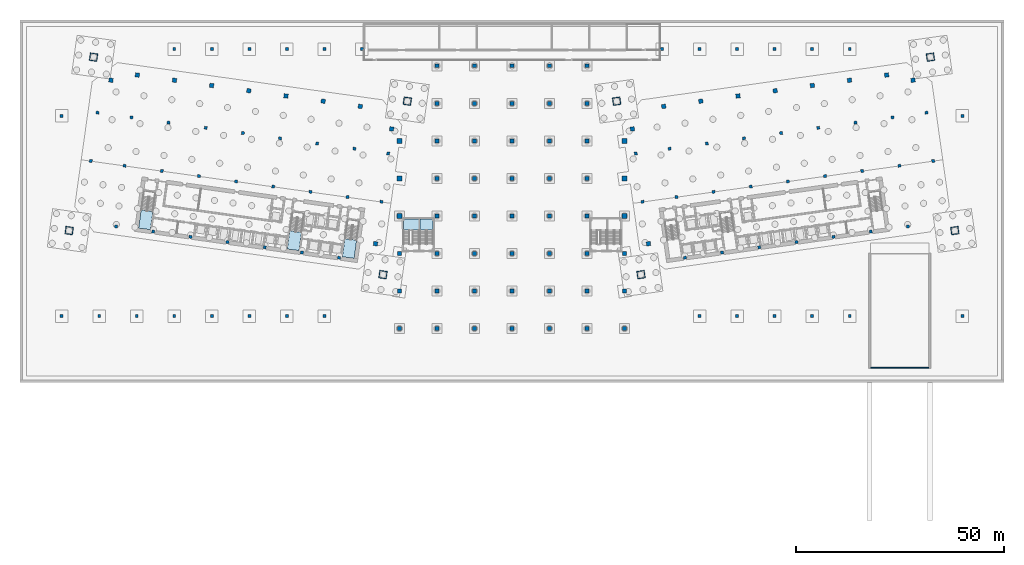
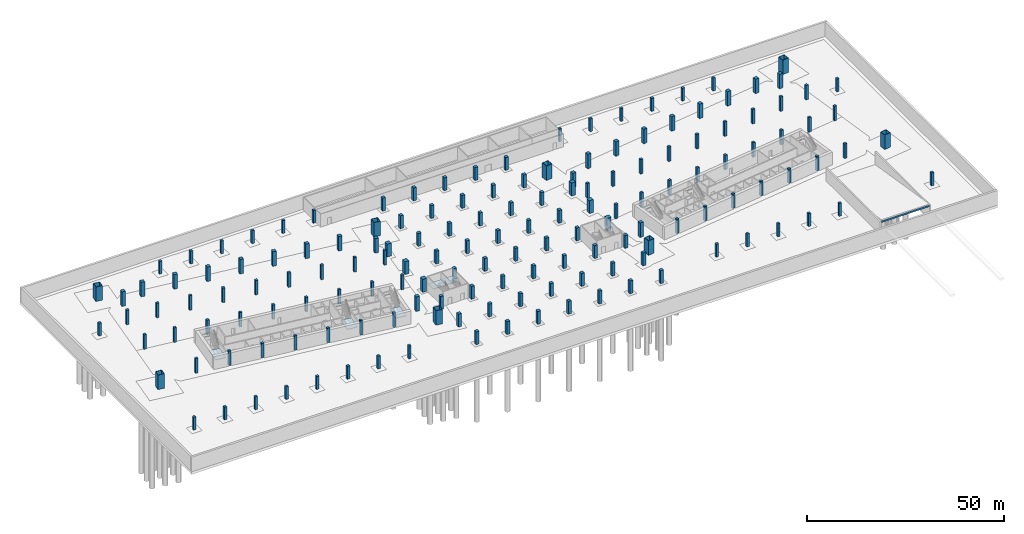
# One storey, part 3 of 19: 158 columns, 5 slabs, 1 beam, 5 elements without a shape of their own.
"""IFC4 building model written with IfcOpenShell, lengths in metres."""

from ifc_helpers import new_model, si_unit, direction, frame, origin, origin_2d, place, context, subcontext, project, spatial, polyline, rectangle, hollow_rectangle, outline, extrude, material, layer, layer_set, material_profile, profile_set, type_object, element, aggregate, save


model = new_model("IFC4")

# Units and contexts
model_context = context("Model", 3, precision=1e-05, world=origin(), true_north=direction((0.0, 1.0)))
body_context = subcontext(model_context, "Body", "Model", "MODEL_VIEW")
ifc_project = project(units=[si_unit("LENGTHUNIT", "METRE"), si_unit("AREAUNIT", "SQUARE_METRE"), si_unit("VOLUMEUNIT", "CUBIC_METRE"), si_unit("PLANEANGLEUNIT", "RADIAN"), si_unit("MASSUNIT", "GRAM", prefix="KILO")], contexts=[model_context])

# Site, building, storey
site_placement = place(None, origin())
site = spatial("IfcSite", under=ifc_project, at=site_placement, CompositionType="ELEMENT")
building_placement = place(site_placement, origin())
building = spatial("IfcBuilding", under=site, at=building_placement, Name="Mirante Cascada Hotel Towers", CompositionType="ELEMENT")
storey_placement = place(building_placement, frame((0.0, 0.0, -9.0)))
storey = spatial("IfcBuildingStorey", under=building, at=storey_placement, Name="B2", CompositionType="ELEMENT", Elevation=-9.0)

# Columns
ifc_material_1 = material(Name="Steel ASTM A572 Gr 50", Category="steel")
ifc_material_profile_1 = material_profile(ifc_material_1, hollow_rectangle(XDim=1.8, YDim=1.8, WallThickness=0.08, at=origin_2d()), Name="Box column 1800x1800x80 ASTM A572 Gr 50")
ifc_profile_set_1 = profile_set([ifc_material_profile_1], Name="Steel ASTM A572 Gr 50")
column_type_1 = type_object("IfcColumnType", Name="Box column 1800x1800x80 ASTM A572 Gr 50", PredefinedType="COLUMN", material=ifc_profile_set_1)
for number, where, z_axis, x_axis, name in (
    (1, (-25.0968, 18.5173, 0.0), (0.0, 0.0, 1.0), (-0.9902681, 0.1391731, 0.0), "Mega column MC1 T1 B2"),
    (2, (-30.9421, -23.074, 0.0), (0.0, 0.0, 1.0), (-0.9902681, 0.1391731, 0.0), "Mega column MC2 T1 B2"),
    (3, (-100.3572, 29.0944, 0.0), (0.0, 0.0, 1.0), (-0.9902681, 0.1391731, 0.0), "Mega column MC3 T1 B2"),
    (4, (-106.2025, -12.4968, 0.0), (0.0, 0.0, 1.0), (-0.9902681, 0.1391731, 0.0), "Mega column MC4 T1 B2"),
    (5, (25.0968, 18.5173, 0.0), (0.0, 0.0, 1.0), (0.9902681, 0.1391731, 0.0), "Mega column MC1 T2 B2"),
    (6, (30.9421, -23.074, 0.0), (0.0, 0.0, 1.0), (0.9902681, 0.1391731, 0.0), "Mega column MC2 T2 B2"),
    (7, (100.3572, 29.0944, 0.0), (0.0, 0.0, 1.0), (0.9902681, 0.1391731, 0.0), "Mega column MC3 T2 B2"),
    (8, (106.2025, -12.4968, 0.0), (0.0, 0.0, 1.0), (0.9902681, 0.1391731, 0.0), "Mega column MC4 T2 B2"),
):
    element("IfcColumn", number, at=place(storey_placement, frame(where, z_axis=z_axis, x_axis=x_axis)), inside=storey, type_object=column_type_1, Name=name, PredefinedType="COLUMN", context=body_context, shape_type="SweptSolid", body=[
        extrude(hollow_rectangle(XDim=1.8, YDim=1.8, WallThickness=0.08, at=origin_2d()), origin(), (0.0, 0.0, 1.0), 4.5),
    ])
ifc_material_2 = material(Name="Concrete C50/60", Category="concrete")
ifc_material_profile_2 = material_profile(ifc_material_2, rectangle(XDim=1.2, YDim=1.2, at=origin_2d()), Name="RC 1200x1200")
ifc_profile_set_2 = profile_set([ifc_material_profile_2], Name="Concrete C50/60")
column_type_2 = type_object("IfcColumnType", Name="Column RC 1200x1200 C50/60", PredefinedType="COLUMN", material=ifc_profile_set_2)
for number, where, z_axis, x_axis, name in (
    (9, (-27.0, -9.0, 0.0), (0.0, 0.0, 1.0), (1.0, 0.0, 0.0), "col:P:B2:169"),
    (10, (27.0, -9.0, 0.0), (0.0, 0.0, 1.0), (1.0, 0.0, 0.0), "col:P:B2:212"),
    (11, (-27.0, 0.0, 0.0), (0.0, 0.0, 1.0), (1.0, 0.0, 0.0), "col:P:B2:220"),
    (12, (27.0, 0.0, 0.0), (0.0, 0.0, 1.0), (1.0, 0.0, 0.0), "col:P:B2:263"),
    (13, (-27.0, 9.0, 0.0), (0.0, 0.0, 1.0), (1.0, 0.0, 0.0), "col:P:B2:271"),
    (14, (27.0, 9.0, 0.0), (0.0, 0.0, 1.0), (1.0, 0.0, 0.0), "col:P:B2:302"),
):
    element("IfcColumn", number, at=place(storey_placement, frame(where, z_axis=z_axis, x_axis=x_axis)), inside=storey, type_object=column_type_2, Name=name, PredefinedType="COLUMN", context=body_context, shape_type="SweptSolid", body=[
        extrude(rectangle(XDim=1.2, YDim=1.2, at=origin_2d()), origin(), (0.0, 0.0, 1.0), 4.0),
    ])
ifc_material_3 = material(Name="Concrete C50/60", Category="concrete")
ifc_material_profile_3 = material_profile(ifc_material_3, rectangle(XDim=0.7, YDim=0.7, at=origin_2d()), Name="RC 700x700")
ifc_profile_set_3 = profile_set([ifc_material_profile_3], Name="Concrete C50/60")
column_type_3 = type_object("IfcColumnType", Name="Column RC 700x700 C50/60", PredefinedType="COLUMN", material=ifc_profile_set_3)
for number, where, z_axis, x_axis, name in (
    (15, (-108.0, -33.0, 0.0), (0.0, 0.0, 1.0), (1.0, 0.0, 0.0), "col:B:B2:348"),
    (16, (-99.0, -33.0, 0.0), (0.0, 0.0, 1.0), (1.0, 0.0, 0.0), "col:B:B2:350"),
    (17, (-90.0, -33.0, 0.0), (0.0, 0.0, 1.0), (1.0, 0.0, 0.0), "col:B:B2:352"),
    (18, (-81.0, -33.0, 0.0), (0.0, 0.0, 1.0), (1.0, 0.0, 0.0), "col:B:B2:354"),
    (19, (-72.0, -33.0, 0.0), (0.0, 0.0, 1.0), (1.0, 0.0, 0.0), "col:B:B2:356"),
    (20, (-63.0, -33.0, 0.0), (0.0, 0.0, 1.0), (1.0, 0.0, 0.0), "col:B:B2:358"),
    (21, (-54.0, -33.0, 0.0), (0.0, 0.0, 1.0), (1.0, 0.0, 0.0), "col:B:B2:360"),
    (22, (-45.0, -33.0, 0.0), (0.0, 0.0, 1.0), (1.0, 0.0, 0.0), "col:B:B2:362"),
    (23, (45.0, -33.0, 0.0), (0.0, 0.0, 1.0), (1.0, 0.0, 0.0), "col:B:B2:364"),
    (24, (54.0, -33.0, 0.0), (0.0, 0.0, 1.0), (1.0, 0.0, 0.0), "col:B:B2:366"),
    (25, (63.0, -33.0, 0.0), (0.0, 0.0, 1.0), (1.0, 0.0, 0.0), "col:B:B2:368"),
    (26, (72.0, -33.0, 0.0), (0.0, 0.0, 1.0), (1.0, 0.0, 0.0), "col:B:B2:370"),
    (27, (81.0, -33.0, 0.0), (0.0, 0.0, 1.0), (1.0, 0.0, 0.0), "col:B:B2:372"),
    (28, (108.0, -33.0, 0.0), (0.0, 0.0, 1.0), (1.0, 0.0, 0.0), "col:B:B2:374"),
    (29, (-108.0, 15.0, 0.0), (0.0, 0.0, 1.0), (1.0, 0.0, 0.0), "col:B:B2:376"),
    (30, (108.0, 15.0, 0.0), (0.0, 0.0, 1.0), (1.0, 0.0, 0.0), "col:B:B2:378"),
    (31, (-81.0, 31.0, 0.0), (0.0, 0.0, 1.0), (1.0, 0.0, 0.0), "col:B:B2:380"),
    (32, (-72.0, 31.0, 0.0), (0.0, 0.0, 1.0), (1.0, 0.0, 0.0), "col:B:B2:382"),
    (33, (-63.0, 31.0, 0.0), (0.0, 0.0, 1.0), (1.0, 0.0, 0.0), "col:B:B2:384"),
    (34, (-54.0, 31.0, 0.0), (0.0, 0.0, 1.0), (1.0, 0.0, 0.0), "col:B:B2:386"),
    (35, (-45.0, 31.0, 0.0), (0.0, 0.0, 1.0), (1.0, 0.0, 0.0), "col:B:B2:388"),
    (36, (-36.0, 31.0, 0.0), (0.0, 0.0, 1.0), (1.0, 0.0, 0.0), "col:B:B2:390"),
    (37, (36.0, 31.0, 0.0), (0.0, 0.0, 1.0), (1.0, 0.0, 0.0), "col:B:B2:392"),
    (38, (45.0, 31.0, 0.0), (0.0, 0.0, 1.0), (1.0, 0.0, 0.0), "col:B:B2:394"),
    (39, (54.0, 31.0, 0.0), (0.0, 0.0, 1.0), (1.0, 0.0, 0.0), "col:B:B2:396"),
    (40, (63.0, 31.0, 0.0), (0.0, 0.0, 1.0), (1.0, 0.0, 0.0), "col:B:B2:398"),
    (41, (72.0, 31.0, 0.0), (0.0, 0.0, 1.0), (1.0, 0.0, 0.0), "col:B:B2:400"),
    (42, (81.0, 31.0, 0.0), (0.0, 0.0, 1.0), (1.0, 0.0, 0.0), "col:B:B2:402"),
):
    element("IfcColumn", number, at=place(storey_placement, frame(where, z_axis=z_axis, x_axis=x_axis)), inside=storey, type_object=column_type_3, Name=name, PredefinedType="COLUMN", context=body_context, shape_type="SweptSolid", body=[
        extrude(rectangle(XDim=0.7, YDim=0.7, at=origin_2d()), origin(), (0.0, 0.0, 1.0), 4.0),
    ])
ifc_material_4 = material(Name="Concrete C50/60", Category="concrete")
ifc_material_profile_4 = material_profile(ifc_material_4, rectangle(XDim=0.9, YDim=0.9, at=origin_2d()), Name="RC 900x900")
ifc_profile_set_4 = profile_set([ifc_material_profile_4], Name="Concrete C50/60")
column_type_4 = type_object("IfcColumnType", Name="Column RC 900x900 C50/60", PredefinedType="COLUMN", material=ifc_profile_set_4)
for number, where, z_axis, x_axis, name in (
    (43, (-27.0, -36.0, 0.0), (0.0, 0.0, 1.0), (1.0, 0.0, 0.0), "col:P:B2:1"),
    (44, (-18.0, -36.0, 0.0), (0.0, 0.0, 1.0), (1.0, 0.0, 0.0), "col:P:B2:9"),
    (45, (-9.0, -36.0, 0.0), (0.0, 0.0, 1.0), (1.0, 0.0, 0.0), "col:P:B2:17"),
    (46, (0.0, -36.0, 0.0), (0.0, 0.0, 1.0), (1.0, 0.0, 0.0), "col:P:B2:25"),
    (47, (9.0, -36.0, 0.0), (0.0, 0.0, 1.0), (1.0, 0.0, 0.0), "col:P:B2:33"),
    (48, (18.0, -36.0, 0.0), (0.0, 0.0, 1.0), (1.0, 0.0, 0.0), "col:P:B2:41"),
    (49, (27.0, -36.0, 0.0), (0.0, 0.0, 1.0), (1.0, 0.0, 0.0), "col:P:B2:49"),
    (50, (-27.0, -27.0, 0.0), (0.0, 0.0, 1.0), (1.0, 0.0, 0.0), "col:P:B2:57"),
    (51, (-18.0, -27.0, 0.0), (0.0, 0.0, 1.0), (1.0, 0.0, 0.0), "col:P:B2:65"),
    (52, (-9.0, -27.0, 0.0), (0.0, 0.0, 1.0), (1.0, 0.0, 0.0), "col:P:B2:73"),
    (53, (0.0, -27.0, 0.0), (0.0, 0.0, 1.0), (1.0, 0.0, 0.0), "col:P:B2:81"),
    (54, (9.0, -27.0, 0.0), (0.0, 0.0, 1.0), (1.0, 0.0, 0.0), "col:P:B2:89"),
    (55, (18.0, -27.0, 0.0), (0.0, 0.0, 1.0), (1.0, 0.0, 0.0), "col:P:B2:97"),
    (56, (27.0, -27.0, 0.0), (0.0, 0.0, 1.0), (1.0, 0.0, 0.0), "col:P:B2:105"),
    (57, (-27.0, -18.0, 0.0), (0.0, 0.0, 1.0), (1.0, 0.0, 0.0), "col:P:B2:113"),
    (58, (-18.0, -18.0, 0.0), (0.0, 0.0, 1.0), (1.0, 0.0, 0.0), "col:P:B2:121"),
    (59, (-9.0, -18.0, 0.0), (0.0, 0.0, 1.0), (1.0, 0.0, 0.0), "col:P:B2:129"),
    (60, (0.0, -18.0, 0.0), (0.0, 0.0, 1.0), (1.0, 0.0, 0.0), "col:P:B2:137"),
    (61, (9.0, -18.0, 0.0), (0.0, 0.0, 1.0), (1.0, 0.0, 0.0), "col:P:B2:145"),
    (62, (18.0, -18.0, 0.0), (0.0, 0.0, 1.0), (1.0, 0.0, 0.0), "col:P:B2:153"),
    (63, (27.0, -18.0, 0.0), (0.0, 0.0, 1.0), (1.0, 0.0, 0.0), "col:P:B2:161"),
    (64, (-18.0, -9.0, 0.0), (0.0, 0.0, 1.0), (1.0, 0.0, 0.0), "col:P:B2:177"),
    (65, (-9.0, -9.0, 0.0), (0.0, 0.0, 1.0), (1.0, 0.0, 0.0), "col:P:B2:184"),
    (66, (0.0, -9.0, 0.0), (0.0, 0.0, 1.0), (1.0, 0.0, 0.0), "col:P:B2:191"),
    (67, (9.0, -9.0, 0.0), (0.0, 0.0, 1.0), (1.0, 0.0, 0.0), "col:P:B2:198"),
    (68, (18.0, -9.0, 0.0), (0.0, 0.0, 1.0), (1.0, 0.0, 0.0), "col:P:B2:205"),
    (69, (-18.0, 0.0, 0.0), (0.0, 0.0, 1.0), (1.0, 0.0, 0.0), "col:P:B2:228"),
    (70, (-9.0, 0.0, 0.0), (0.0, 0.0, 1.0), (1.0, 0.0, 0.0), "col:P:B2:235"),
    (71, (0.0, 0.0, 0.0), (0.0, 0.0, 1.0), (1.0, 0.0, 0.0), "col:P:B2:242"),
    (72, (9.0, 0.0, 0.0), (0.0, 0.0, 1.0), (1.0, 0.0, 0.0), "col:P:B2:249"),
    (73, (18.0, 0.0, 0.0), (0.0, 0.0, 1.0), (1.0, 0.0, 0.0), "col:P:B2:256"),
    (74, (-18.0, 9.0, 0.0), (0.0, 0.0, 1.0), (1.0, 0.0, 0.0), "col:P:B2:277"),
    (75, (-9.0, 9.0, 0.0), (0.0, 0.0, 1.0), (1.0, 0.0, 0.0), "col:P:B2:282"),
    (76, (0.0, 9.0, 0.0), (0.0, 0.0, 1.0), (1.0, 0.0, 0.0), "col:P:B2:287"),
    (77, (9.0, 9.0, 0.0), (0.0, 0.0, 1.0), (1.0, 0.0, 0.0), "col:P:B2:292"),
    (78, (18.0, 9.0, 0.0), (0.0, 0.0, 1.0), (1.0, 0.0, 0.0), "col:P:B2:297"),
    (79, (-18.0, 18.0, 0.0), (0.0, 0.0, 1.0), (1.0, 0.0, 0.0), "col:P:B2:308"),
    (80, (-9.0, 18.0, 0.0), (0.0, 0.0, 1.0), (1.0, 0.0, 0.0), "col:P:B2:313"),
    (81, (0.0, 18.0, 0.0), (0.0, 0.0, 1.0), (1.0, 0.0, 0.0), "col:P:B2:318"),
    (82, (9.0, 18.0, 0.0), (0.0, 0.0, 1.0), (1.0, 0.0, 0.0), "col:P:B2:323"),
    (83, (18.0, 18.0, 0.0), (0.0, 0.0, 1.0), (1.0, 0.0, 0.0), "col:P:B2:328"),
    (84, (-18.0, 27.0, 0.0), (0.0, 0.0, 1.0), (1.0, 0.0, 0.0), "col:P:B2:333"),
    (85, (-9.0, 27.0, 0.0), (0.0, 0.0, 1.0), (1.0, 0.0, 0.0), "col:P:B2:336"),
    (86, (0.0, 27.0, 0.0), (0.0, 0.0, 1.0), (1.0, 0.0, 0.0), "col:P:B2:339"),
    (87, (9.0, 27.0, 0.0), (0.0, 0.0, 1.0), (1.0, 0.0, 0.0), "col:P:B2:342"),
    (88, (18.0, 27.0, 0.0), (0.0, 0.0, 1.0), (1.0, 0.0, 0.0), "col:P:B2:345"),
):
    element("IfcColumn", number, at=place(storey_placement, frame(where, z_axis=z_axis, x_axis=x_axis)), inside=storey, type_object=column_type_4, Name=name, PredefinedType="COLUMN", context=body_context, shape_type="SweptSolid", body=[
        extrude(rectangle(XDim=0.9, YDim=0.9, at=origin_2d()), origin(), (0.0, 0.0, 1.0), 4.0),
    ])
ifc_material_5 = material(Name="Concrete C60/75", Category="concrete")
ifc_material_profile_5 = material_profile(ifc_material_5, rectangle(XDim=1.0, YDim=1.0, at=origin_2d()), Name="RC column 1000x1000 C60/75")
ifc_profile_set_5 = profile_set([ifc_material_profile_5], Name="Concrete C60/75")
column_type_5 = type_object("IfcColumnType", Name="RC column 1000x1000 C60/75", PredefinedType="COLUMN", material=ifc_profile_set_5)
for number, where, z_axis, x_axis, name in (
    (89, (-28.8577, 11.8761, 0.0), (0.0, 0.0, 1.0), (-0.9902681, 0.1391731, 0.0), "Column T1 B2 1"),
    (90, (-32.7267, -15.6534, 0.0), (0.0, 0.0, 1.0), (-0.9902681, 0.1391731, 0.0), "Column T1 B2 4"),
    (91, (-36.3795, 17.2754, 0.0), (0.0, 0.0, 1.0), (-0.9902681, 0.1391731, 0.0), "Column T1 B2 5"),
    (92, (-45.2919, 18.528, 0.0), (0.0, 0.0, 1.0), (-0.9902681, 0.1391731, 0.0), "Column T1 B2 9"),
    (93, (-54.2043, 19.7806, 0.0), (0.0, 0.0, 1.0), (-0.9902681, 0.1391731, 0.0), "Column T1 B2 13"),
    (94, (-63.1167, 21.0331, 0.0), (0.0, 0.0, 1.0), (-0.9902681, 0.1391731, 0.0), "Column T1 B2 17"),
    (95, (-72.0291, 22.2857, 0.0), (0.0, 0.0, 1.0), (-0.9902681, 0.1391731, 0.0), "Column T1 B2 21"),
    (96, (-80.9415, 23.5382, 0.0), (0.0, 0.0, 1.0), (-0.9902681, 0.1391731, 0.0), "Column T1 B2 25"),
    (97, (-89.8539, 24.7908, 0.0), (0.0, 0.0, 1.0), (-0.9902681, 0.1391731, 0.0), "Column T1 B2 29"),
    (98, (-96.1868, 23.5602, 0.0), (0.0, 0.0, 1.0), (-0.9902681, 0.1391731, 0.0), "Column T1 B2 33"),
    (99, (28.8577, 11.8761, 0.0), (0.0, 0.0, 1.0), (0.9902681, 0.1391731, 0.0), "Column T2 B2 1"),
    (100, (32.7267, -15.6534, 0.0), (0.0, 0.0, 1.0), (0.9902681, 0.1391731, 0.0), "Column T2 B2 4"),
    (101, (36.3795, 17.2754, 0.0), (0.0, 0.0, 1.0), (0.9902681, 0.1391731, 0.0), "Column T2 B2 5"),
    (102, (45.2919, 18.528, 0.0), (0.0, 0.0, 1.0), (0.9902681, 0.1391731, 0.0), "Column T2 B2 9"),
    (103, (54.2043, 19.7806, 0.0), (0.0, 0.0, 1.0), (0.9902681, 0.1391731, 0.0), "Column T2 B2 13"),
    (104, (63.1167, 21.0331, 0.0), (0.0, 0.0, 1.0), (0.9902681, 0.1391731, 0.0), "Column T2 B2 17"),
    (105, (72.0291, 22.2857, 0.0), (0.0, 0.0, 1.0), (0.9902681, 0.1391731, 0.0), "Column T2 B2 21"),
    (106, (80.9415, 23.5382, 0.0), (0.0, 0.0, 1.0), (0.9902681, 0.1391731, 0.0), "Column T2 B2 25"),
    (107, (89.8539, 24.7908, 0.0), (0.0, 0.0, 1.0), (0.9902681, 0.1391731, 0.0), "Column T2 B2 29"),
    (108, (96.1868, 23.5602, 0.0), (0.0, 0.0, 1.0), (0.9902681, 0.1391731, 0.0), "Column T2 B2 33"),
):
    element("IfcColumn", number, at=place(storey_placement, frame(where, z_axis=z_axis, x_axis=x_axis)), inside=storey, type_object=column_type_5, Name=name, PredefinedType="COLUMN", context=body_context, shape_type="SweptSolid", body=[
        extrude(rectangle(XDim=1.0, YDim=1.0, at=origin_2d()), origin(), (0.0, 0.0, 1.0), 4.5),
    ])
ifc_material_6 = material(Name="Concrete C60/75", Category="concrete")
ifc_material_profile_6 = material_profile(ifc_material_6, rectangle(XDim=0.7, YDim=0.7, at=origin_2d()), Name="RC column 700x700 C60/75")
ifc_profile_set_6 = profile_set([ifc_material_profile_6], Name="Concrete C60/75")
column_type_6 = type_object("IfcColumnType", Name="RC column 700x700 C60/75", PredefinedType="COLUMN", material=ifc_profile_set_6)
for number, where, z_axis, x_axis, name in (
    (109, (-29.6858, 5.984, 0.0), (0.0, 0.0, 1.0), (-0.9902681, 0.1391731, 0.0), "Column T1 B2 2"),
    (110, (-31.3141, -5.6022, 0.0), (0.0, 0.0, 1.0), (-0.9902681, 0.1391731, 0.0), "Column T1 B2 3"),
    (111, (-37.806, 7.1252, 0.0), (0.0, 0.0, 1.0), (-0.9902681, 0.1391731, 0.0), "Column T1 B2 6"),
    (112, (-39.4343, -4.4609, 0.0), (0.0, 0.0, 1.0), (-0.9902681, 0.1391731, 0.0), "Column T1 B2 7"),
    (113, (-41.4802, -19.0179, 0.0), (0.0, 0.0, 1.0), (-0.9902681, 0.1391731, 0.0), "Column T1 B2 8"),
    (114, (-46.7184, 8.3777, 0.0), (0.0, 0.0, 1.0), (-0.9902681, 0.1391731, 0.0), "Column T1 B2 10"),
    (115, (-48.3467, -3.2084, 0.0), (0.0, 0.0, 1.0), (-0.9902681, 0.1391731, 0.0), "Column T1 B2 11"),
    (116, (-50.3926, -17.7653, 0.0), (0.0, 0.0, 1.0), (-0.9902681, 0.1391731, 0.0), "Column T1 B2 12"),
    (117, (-55.6308, 9.6303, 0.0), (0.0, 0.0, 1.0), (-0.9902681, 0.1391731, 0.0), "Column T1 B2 14"),
    (118, (-57.2591, -1.9558, 0.0), (0.0, 0.0, 1.0), (-0.9902681, 0.1391731, 0.0), "Column T1 B2 15"),
    (119, (-59.305, -16.5128, 0.0), (0.0, 0.0, 1.0), (-0.9902681, 0.1391731, 0.0), "Column T1 B2 16"),
    (120, (-64.5432, 10.8829, 0.0), (0.0, 0.0, 1.0), (-0.9902681, 0.1391731, 0.0), "Column T1 B2 18"),
    (121, (-66.1716, -0.7033, 0.0), (0.0, 0.0, 1.0), (-0.9902681, 0.1391731, 0.0), "Column T1 B2 19"),
    (122, (-68.2174, -15.2602, 0.0), (0.0, 0.0, 1.0), (-0.9902681, 0.1391731, 0.0), "Column T1 B2 20"),
    (123, (-73.4556, 12.1354, 0.0), (0.0, 0.0, 1.0), (-0.9902681, 0.1391731, 0.0), "Column T1 B2 22"),
    (124, (-75.084, 0.5493, 0.0), (0.0, 0.0, 1.0), (-0.9902681, 0.1391731, 0.0), "Column T1 B2 23"),
    (125, (-77.1298, -14.0077, 0.0), (0.0, 0.0, 1.0), (-0.9902681, 0.1391731, 0.0), "Column T1 B2 24"),
    (126, (-82.368, 13.388, 0.0), (0.0, 0.0, 1.0), (-0.9902681, 0.1391731, 0.0), "Column T1 B2 26"),
    (127, (-83.9964, 1.8018, 0.0), (0.0, 0.0, 1.0), (-0.9902681, 0.1391731, 0.0), "Column T1 B2 27"),
    (128, (-86.0422, -12.7551, 0.0), (0.0, 0.0, 1.0), (-0.9902681, 0.1391731, 0.0), "Column T1 B2 28"),
    (129, (-91.2805, 14.6405, 0.0), (0.0, 0.0, 1.0), (-0.9902681, 0.1391731, 0.0), "Column T1 B2 30"),
    (130, (-92.9088, 3.0544, 0.0), (0.0, 0.0, 1.0), (-0.9902681, 0.1391731, 0.0), "Column T1 B2 31"),
    (131, (-94.9546, -11.5025, 0.0), (0.0, 0.0, 1.0), (-0.9902681, 0.1391731, 0.0), "Column T1 B2 32"),
    (132, (-99.4007, 15.7818, 0.0), (0.0, 0.0, 1.0), (-0.9902681, 0.1391731, 0.0), "Column T1 B2 34"),
    (133, (-101.029, 4.1956, 0.0), (0.0, 0.0, 1.0), (-0.9902681, 0.1391731, 0.0), "Column T1 B2 35"),
    (134, (29.6858, 5.984, 0.0), (0.0, 0.0, 1.0), (0.9902681, 0.1391731, 0.0), "Column T2 B2 2"),
    (135, (31.3141, -5.6022, 0.0), (0.0, 0.0, 1.0), (0.9902681, 0.1391731, 0.0), "Column T2 B2 3"),
    (136, (37.806, 7.1252, 0.0), (0.0, 0.0, 1.0), (0.9902681, 0.1391731, 0.0), "Column T2 B2 6"),
    (137, (39.4343, -4.4609, 0.0), (0.0, 0.0, 1.0), (0.9902681, 0.1391731, 0.0), "Column T2 B2 7"),
    (138, (41.4802, -19.0179, 0.0), (0.0, 0.0, 1.0), (0.9902681, 0.1391731, 0.0), "Column T2 B2 8"),
    (139, (46.7184, 8.3777, 0.0), (0.0, 0.0, 1.0), (0.9902681, 0.1391731, 0.0), "Column T2 B2 10"),
    (140, (48.3467, -3.2084, 0.0), (0.0, 0.0, 1.0), (0.9902681, 0.1391731, 0.0), "Column T2 B2 11"),
    (141, (50.3926, -17.7653, 0.0), (0.0, 0.0, 1.0), (0.9902681, 0.1391731, 0.0), "Column T2 B2 12"),
    (142, (55.6308, 9.6303, 0.0), (0.0, 0.0, 1.0), (0.9902681, 0.1391731, 0.0), "Column T2 B2 14"),
    (143, (57.2591, -1.9558, 0.0), (0.0, 0.0, 1.0), (0.9902681, 0.1391731, 0.0), "Column T2 B2 15"),
    (144, (59.305, -16.5128, 0.0), (0.0, 0.0, 1.0), (0.9902681, 0.1391731, 0.0), "Column T2 B2 16"),
    (145, (64.5432, 10.8829, 0.0), (0.0, 0.0, 1.0), (0.9902681, 0.1391731, 0.0), "Column T2 B2 18"),
    (146, (66.1716, -0.7033, 0.0), (0.0, 0.0, 1.0), (0.9902681, 0.1391731, 0.0), "Column T2 B2 19"),
    (147, (68.2174, -15.2602, 0.0), (0.0, 0.0, 1.0), (0.9902681, 0.1391731, 0.0), "Column T2 B2 20"),
    (148, (73.4556, 12.1354, 0.0), (0.0, 0.0, 1.0), (0.9902681, 0.1391731, 0.0), "Column T2 B2 22"),
    (149, (75.084, 0.5493, 0.0), (0.0, 0.0, 1.0), (0.9902681, 0.1391731, 0.0), "Column T2 B2 23"),
    (150, (77.1298, -14.0077, 0.0), (0.0, 0.0, 1.0), (0.9902681, 0.1391731, 0.0), "Column T2 B2 24"),
    (151, (82.368, 13.388, 0.0), (0.0, 0.0, 1.0), (0.9902681, 0.1391731, 0.0), "Column T2 B2 26"),
    (152, (83.9964, 1.8018, 0.0), (0.0, 0.0, 1.0), (0.9902681, 0.1391731, 0.0), "Column T2 B2 27"),
    (153, (86.0422, -12.7551, 0.0), (0.0, 0.0, 1.0), (0.9902681, 0.1391731, 0.0), "Column T2 B2 28"),
    (154, (91.2805, 14.6405, 0.0), (0.0, 0.0, 1.0), (0.9902681, 0.1391731, 0.0), "Column T2 B2 30"),
    (155, (92.9088, 3.0544, 0.0), (0.0, 0.0, 1.0), (0.9902681, 0.1391731, 0.0), "Column T2 B2 31"),
    (156, (94.9546, -11.5025, 0.0), (0.0, 0.0, 1.0), (0.9902681, 0.1391731, 0.0), "Column T2 B2 32"),
    (157, (99.4007, 15.7818, 0.0), (0.0, 0.0, 1.0), (0.9902681, 0.1391731, 0.0), "Column T2 B2 34"),
    (158, (101.029, 4.1956, 0.0), (0.0, 0.0, 1.0), (0.9902681, 0.1391731, 0.0), "Column T2 B2 35"),
):
    element("IfcColumn", number, at=place(storey_placement, frame(where, z_axis=z_axis, x_axis=x_axis)), inside=storey, type_object=column_type_6, Name=name, PredefinedType="COLUMN", context=body_context, shape_type="SweptSolid", body=[
        extrude(rectangle(XDim=0.7, YDim=0.7, at=origin_2d()), origin(), (0.0, 0.0, 1.0), 4.5),
    ])

# Beam
ifc_material_7 = material(Name="Concrete C35/45", Category="concrete")
ifc_layer_1 = layer(ifc_material_7, 0.5)
ifc_layer_set_1 = layer_set([ifc_layer_1], Name="Ramp seat haunch 500 C35/45")
beam_type = type_object("IfcBeamType", Name="Ramp seat haunch 500 C35/45", PredefinedType="BEAM", material=ifc_layer_set_1)
beam_placement = place(storey_placement, frame((93.0, -45.5, 9.0), z_axis=(0.0, 0.0, 1.0), x_axis=(0.0, 1.0, 0.0)))
element("IfcBeam", 159, at=beam_placement, inside=storey, type_object=beam_type, Name="Ramp seat haunch 1", PredefinedType="BEAM", context=body_context, shape_type="SweptSolid", body=[
    extrude(outline(polyline([(0.0, -5.4), (0.25, -5.4409), (0.25, -4.9409), (0.0, -4.9), (0.0, -5.4)])), frame((0.0, 7.0, 0.0), z_axis=(0.0, -1.0, 0.0), x_axis=(1.0, 0.0, 0.0)), (0.0, 0.0, 1.0), 14.0),
])

# Stair, slab
ifc_material_8 = material(Name="Concrete C35/45", Category="concrete")
stair_type_1 = type_object("IfcStairType", Name="Exit stair half-turn 1350 concrete C35/45", PredefinedType="HALF_TURN_STAIR", material=ifc_material_8)
stair_1_placement = place(storey_placement, origin())
stair_1 = element("IfcStair", 160, at=stair_1_placement, inside=storey, type_object=stair_type_1, Name="B2 Exit stair A", PredefinedType="HALF_TURN_STAIR")
ifc_material_9 = material(Name="Concrete C35/45", Category="concrete")
ifc_layer_2 = layer(ifc_material_9, 0.2)
ifc_layer_set_2 = layer_set([ifc_layer_2], Name="Exit stair landing 200 concrete C35/45")
slab_type_1 = type_object("IfcSlabType", Name="Exit stair landing 200 concrete C35/45", PredefinedType="LANDING", material=ifc_layer_set_2)
slab_1_placement = place(storey_placement, frame((0.0, 0.0, 2.05)))
slab_1 = element("IfcSlab", 161, at=slab_1_placement, type_object=slab_type_1, Name="ST1-A landing 1", PredefinedType="LANDING", context=body_context, shape_type="SweptSolid", body=[
    extrude(outline(polyline([(-40.0767, -14.4205), (-40.6887, -18.7757), (-37.8665, -19.1723), (-37.2544, -14.8171), (-40.0767, -14.4205)])), origin(), (0.0, 0.0, 1.0), 0.2),
])
aggregate(stair_1, [slab_1])

stair_2_placement = place(storey_placement, origin())
stair_2 = element("IfcStair", 162, at=stair_2_placement, inside=storey, type_object=stair_type_1, Name="B2 Exit stair B", PredefinedType="HALF_TURN_STAIR")
slab_2_placement = place(storey_placement, frame((0.0, 0.0, 2.05)))
slab_2 = element("IfcSlab", 163, at=slab_2_placement, type_object=slab_type_1, Name="ST1-B landing 1", PredefinedType="LANDING", context=body_context, shape_type="SweptSolid", body=[
    extrude(outline(polyline([(-53.2967, -12.5625), (-53.9088, -16.9177), (-51.0866, -17.3144), (-50.4745, -12.9592), (-53.2967, -12.5625)])), origin(), (0.0, 0.0, 1.0), 0.2),
])
aggregate(stair_2, [slab_2])

stair_3_placement = place(storey_placement, origin())
stair_3 = element("IfcStair", 164, at=stair_3_placement, inside=storey, type_object=stair_type_1, Name="B2 Exit stair C", PredefinedType="HALF_TURN_STAIR")
slab_3_placement = place(storey_placement, frame((0.0, 0.0, 2.05)))
slab_3 = element("IfcSlab", 165, at=slab_3_placement, type_object=slab_type_1, Name="ST1-C landing 1", PredefinedType="LANDING", context=body_context, shape_type="SweptSolid", body=[
    extrude(outline(polyline([(-88.9464, -7.5523), (-89.5585, -11.9075), (-86.7362, -12.3041), (-86.1241, -7.9489), (-88.9464, -7.5523)])), origin(), (0.0, 0.0, 1.0), 0.2),
])
aggregate(stair_3, [slab_3])

ifc_material_10 = material(Name="Concrete C35/45", Category="concrete")
stair_type_2 = type_object("IfcStairType", Name="Podium exit stair half-turn 1500 concrete C35/45", PredefinedType="HALF_TURN_STAIR", material=ifc_material_10)
stair_4_placement = place(storey_placement, origin())
stair_4 = element("IfcStair", 166, at=stair_4_placement, inside=storey, type_object=stair_type_2, Name="B2 Podium exit stair 3", PredefinedType="HALF_TURN_STAIR")
ifc_material_11 = material(Name="Concrete C35/45", Category="concrete")
ifc_layer_3 = layer(ifc_material_11, 0.2)
ifc_layer_set_3 = layer_set([ifc_layer_3], Name="Podium exit stair landing 200 concrete C35/45")
slab_type_2 = type_object("IfcSlabType", Name="Podium exit stair landing 200 concrete C35/45", PredefinedType="LANDING", material=ifc_layer_set_3)
slab_4_placement = place(storey_placement, frame((0.0, 0.0, 2.05)))
slab_4 = element("IfcSlab", 167, at=slab_4_placement, type_object=slab_type_2, Name="PS1 landing 1", PredefinedType="LANDING", context=body_context, shape_type="SweptSolid", body=[
    extrude(outline(polyline([(-18.925, -12.415), (-18.925, -9.725), (-22.075, -9.725), (-22.075, -12.415), (-18.925, -12.415)])), origin(), (0.0, 0.0, 1.0), 0.2),
])
aggregate(stair_4, [slab_4])

stair_5_placement = place(storey_placement, origin())
stair_5 = element("IfcStair", 168, at=stair_5_placement, inside=storey, type_object=stair_type_2, Name="B2 Podium exit stair 5", PredefinedType="HALF_TURN_STAIR")
slab_5_placement = place(storey_placement, frame((0.0, 0.0, 2.05)))
slab_5 = element("IfcSlab", 169, at=slab_5_placement, type_object=slab_type_2, Name="PS3 landing 1", PredefinedType="LANDING", context=body_context, shape_type="SweptSolid", body=[
    extrude(outline(polyline([(-22.325, -12.415), (-22.325, -9.725), (-26.075, -9.725), (-26.075, -12.415), (-22.325, -12.415)])), origin(), (0.0, 0.0, 1.0), 0.2),
])
aggregate(stair_5, [slab_5])

save(model, "model.ifc")
